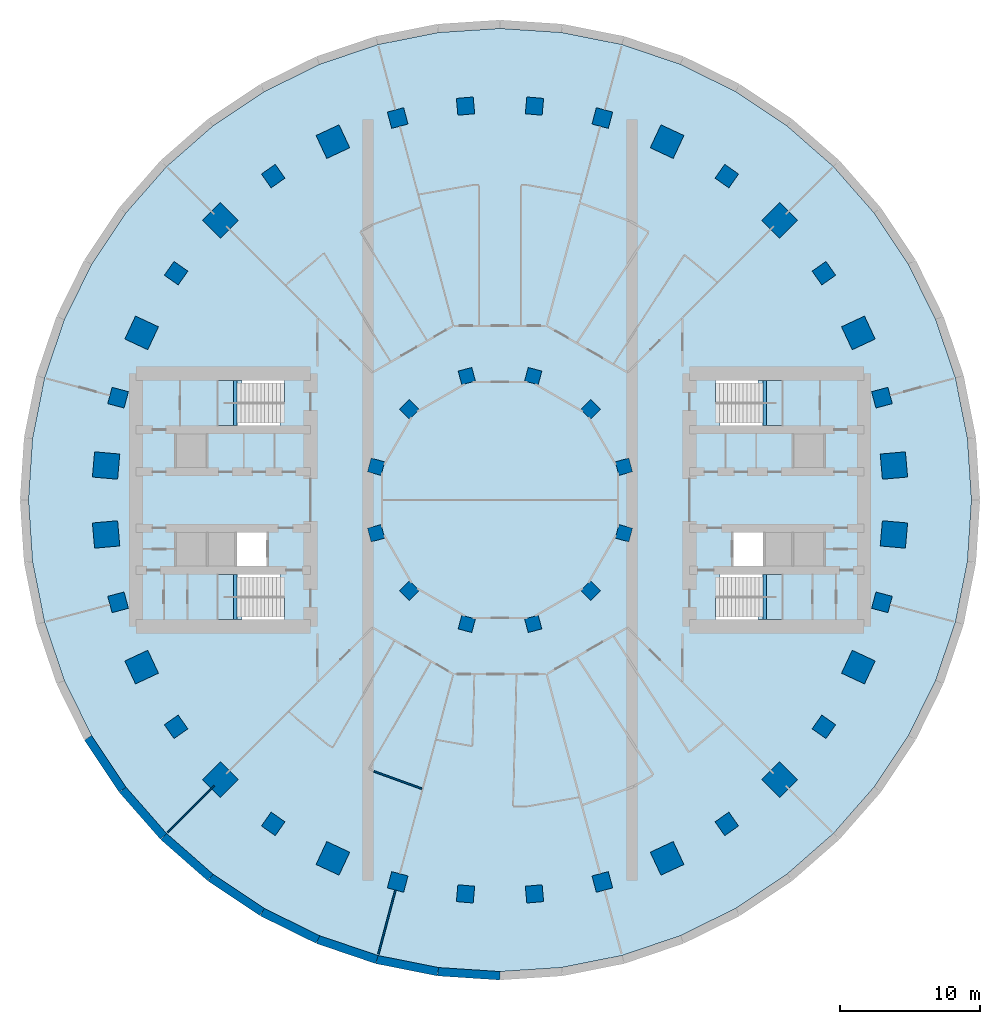
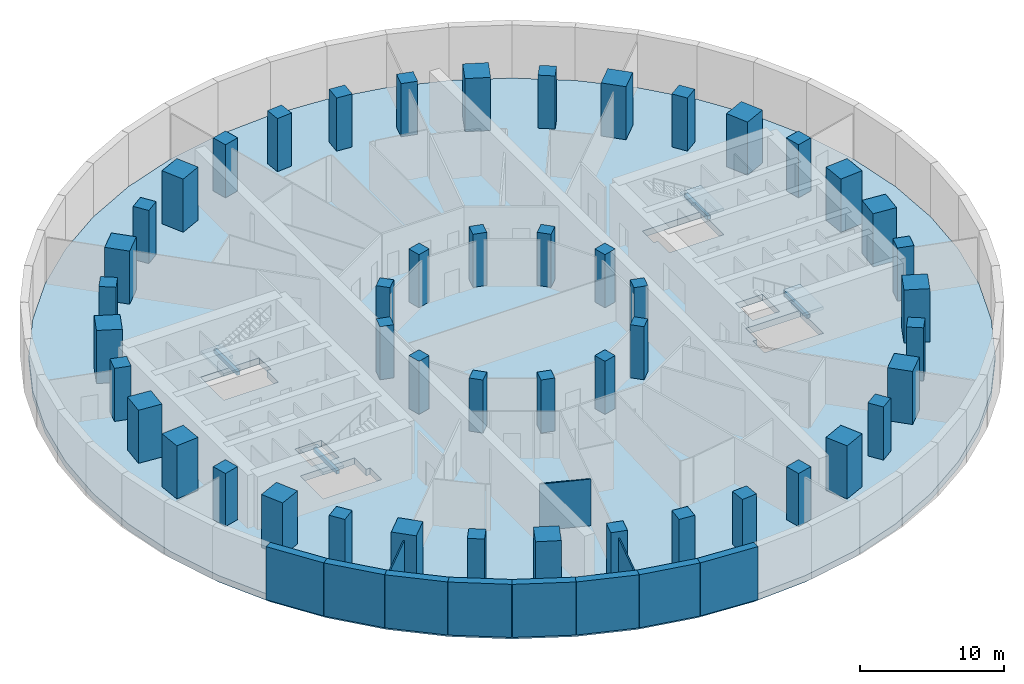
# One storey, part 1 of 8: 48 columns, 11 walls, 5 slabs, 4 beams, 4 elements without a shape of their own.
"""IFC4 building model written with IfcOpenShell, lengths in metres."""

from ifc_helpers import new_model, si_unit, direction, frame, frame_2d, origin, origin_2d, place, context, subcontext, project, spatial, polyline, rectangle, outline, extrude, material, layer, layer_set, material_profile, profile_set, type_object, element, aggregate, save


model = new_model("IFC4")

# Units and contexts
model_context = context("Model", 3, precision=1e-05, world=origin(), true_north=direction((0.0, 1.0)))
body_context = subcontext(model_context, "Body", "Model", "MODEL_VIEW")
ifc_project = project(units=[si_unit("LENGTHUNIT", "METRE"), si_unit("AREAUNIT", "SQUARE_METRE"), si_unit("VOLUMEUNIT", "CUBIC_METRE"), si_unit("PLANEANGLEUNIT", "RADIAN"), si_unit("MASSUNIT", "GRAM", prefix="KILO")], contexts=[model_context])

# Site, building, storey
site_placement = place(None, origin())
site = spatial("IfcSite", under=ifc_project, at=site_placement, CompositionType="ELEMENT")
building_placement = place(site_placement, origin())
building = spatial("IfcBuilding", under=site, at=building_placement, Name="Saqina Gate Tower", CompositionType="ELEMENT")
storey_placement = place(building_placement, frame((0.0, 0.0, -4.5)))
storey = spatial("IfcBuildingStorey", under=building, at=storey_placement, Name="B1", CompositionType="ELEMENT", Elevation=-4.5)

# Columns
ifc_material_1 = material(Name="Concrete C70/85", Category="concrete")
ifc_material_profile_1 = material_profile(ifc_material_1, rectangle(XDim=1.0, YDim=1.0, at=origin_2d()), Name="RC 1000x1000")
ifc_profile_set_1 = profile_set([ifc_material_profile_1], Name="Concrete C70/85")
column_type_1 = type_object("IfcColumnType", Name="STR-COL-IN-P", PredefinedType="COLUMN", material=ifc_profile_set_1)
for number, where, z_axis, x_axis, name in (
    (1, (8.821044921875, 2.363525390625, 0.0), (0.0, 0.0, 1.0), (0.965925826289, 0.258819045103, 0.0), "B1-ICL01"),
    (2, (6.45751953125, 6.45751953125, 0.0), (0.0, 0.0, 1.0), (0.707106781187, 0.707106781187, 0.0), "B1-ICL02"),
    (3, (2.363525390625, 8.821044921875, 0.0), (0.0, 0.0, 1.0), (0.258819045103, 0.965925826289, 0.0), "B1-ICL03"),
    (4, (-2.363525390625, 8.821044921875, 0.0), (0.0, 0.0, 1.0), (-0.258819045103, 0.965925826289, 0.0), "B1-ICL04"),
    (5, (-6.45751953125, 6.45751953125, 0.0), (0.0, 0.0, 1.0), (-0.707106781187, 0.707106781187, 0.0), "B1-ICL05"),
    (6, (-8.821044921875, 2.363525390625, 0.0), (0.0, 0.0, 1.0), (-0.965925826289, 0.258819045103, 0.0), "B1-ICL06"),
    (7, (-8.821044921875, -2.363525390625, 0.0), (0.0, 0.0, 1.0), (-0.965925826289, -0.258819045103, 0.0), "B1-ICL07"),
    (8, (-6.45751953125, -6.45751953125, 0.0), (0.0, 0.0, 1.0), (-0.707106781187, -0.707106781187, 0.0), "B1-ICL08"),
    (9, (-2.363525390625, -8.821044921875, 0.0), (0.0, 0.0, 1.0), (-0.258819045103, -0.965925826289, 0.0), "B1-ICL09"),
    (10, (2.363525390625, -8.821044921875, 0.0), (0.0, 0.0, 1.0), (0.258819045103, -0.965925826289, 0.0), "B1-ICL10"),
    (11, (6.45751953125, -6.45751953125, 0.0), (0.0, 0.0, 1.0), (0.707106781187, -0.707106781187, 0.0), "B1-ICL11"),
    (12, (8.821044921875, -2.363525390625, 0.0), (0.0, 0.0, 1.0), (0.965925826289, -0.258819045103, 0.0), "B1-ICL12"),
):
    element("IfcColumn", number, at=place(storey_placement, frame(where, z_axis=z_axis, x_axis=x_axis)), inside=storey, type_object=column_type_1, Name=name, PredefinedType="COLUMN", context=body_context, shape_type="SweptSolid", body=[
        extrude(rectangle(XDim=1.0, YDim=1.0, at=origin_2d()), origin(), (0.0, 0.0, 1.0), 4.5),
    ])
ifc_material_2 = material(Name="Concrete C70/85", Category="concrete")
ifc_material_profile_2 = material_profile(ifc_material_2, rectangle(XDim=1.800048828125, YDim=1.800048828125, at=origin_2d()), Name="RC 1800x1800")
ifc_profile_set_2 = profile_set([ifc_material_profile_2], Name="Concrete C70/85")
column_type_2 = type_object("IfcColumnType", Name="STR-COL-MEGA-P", PredefinedType="COLUMN", material=ifc_profile_set_2)
for number, where, z_axis, x_axis, name in (
    (13, (28.04296875, 2.453369140625, 0.0), (0.0, 0.0, 1.0), (0.996194698092, 0.087155742748, 0.0), "B1-COL01"),
    (14, (25.512451171875, 11.896728515625, 0.0), (0.0, 0.0, 1.0), (0.906307787037, 0.422618261741, 0.0), "B1-COL03"),
    (15, (19.905029296875, 19.905029296875, 0.0), (0.0, 0.0, 1.0), (0.707106781187, 0.707106781187, 0.0), "B1-COL05"),
    (16, (11.896728515625, 25.512451171875, 0.0), (0.0, 0.0, 1.0), (0.422618261741, 0.906307787037, 0.0), "B1-COL07"),
    (17, (-11.896728515625, 25.512451171875, 0.0), (0.0, 0.0, 1.0), (-0.422618261741, 0.906307787037, 0.0), "B1-COL12"),
    (18, (-19.905029296875, 19.905029296875, 0.0), (0.0, 0.0, 1.0), (-0.707106781187, 0.707106781187, 0.0), "B1-COL14"),
    (19, (-25.512451171875, 11.896728515625, 0.0), (0.0, 0.0, 1.0), (-0.906307787037, 0.422618261741, 0.0), "B1-COL16"),
    (20, (-28.04296875, 2.453369140625, 0.0), (0.0, 0.0, 1.0), (-0.996194698092, 0.087155742748, 0.0), "B1-COL18"),
    (21, (-28.04296875, -2.453369140625, 0.0), (0.0, 0.0, 1.0), (-0.996194698092, -0.087155742748, 0.0), "B1-COL19"),
    (22, (-25.512451171875, -11.896728515625, 0.0), (0.0, 0.0, 1.0), (-0.906307787037, -0.422618261741, 0.0), "B1-COL21"),
    (23, (-19.905029296875, -19.905029296875, 0.0), (0.0, 0.0, 1.0), (-0.707106781187, -0.707106781187, 0.0), "B1-COL23"),
    (24, (-11.896728515625, -25.512451171875, 0.0), (0.0, 0.0, 1.0), (-0.422618261741, -0.906307787037, 0.0), "B1-COL25"),
    (25, (11.896728515625, -25.512451171875, 0.0), (0.0, 0.0, 1.0), (0.422618261741, -0.906307787037, 0.0), "B1-COL30"),
    (26, (19.905029296875, -19.905029296875, 0.0), (0.0, 0.0, 1.0), (0.707106781187, -0.707106781187, 0.0), "B1-COL32"),
    (27, (25.512451171875, -11.896728515625, 0.0), (0.0, 0.0, 1.0), (0.906307787037, -0.422618261741, 0.0), "B1-COL34"),
    (28, (28.04296875, -2.453369140625, 0.0), (0.0, 0.0, 1.0), (0.996194698092, -0.087155742748, 0.0), "B1-COL36"),
):
    element("IfcColumn", number, at=place(storey_placement, frame(where, z_axis=z_axis, x_axis=x_axis)), inside=storey, type_object=column_type_2, Name=name, PredefinedType="COLUMN", context=body_context, shape_type="SweptSolid", body=[
        extrude(rectangle(XDim=1.800048828125, YDim=1.800048828125, at=origin_2d()), origin(), (0.0, 0.0, 1.0), 4.5),
    ])
ifc_material_3 = material(Name="Concrete C70/85", Category="concrete")
ifc_material_profile_3 = material_profile(ifc_material_3, rectangle(XDim=1.199951171875, YDim=1.199951171875, at=origin_2d()), Name="RC 1200x1200")
ifc_profile_set_3 = profile_set([ifc_material_profile_3], Name="Concrete C70/85")
column_type_3 = type_object("IfcColumnType", Name="STR-COL-OUT-P", PredefinedType="COLUMN", material=ifc_profile_set_3)
for number, where, z_axis, x_axis, name in (
    (29, (27.19091796875, 7.28564453125, 0.0), (0.0, 0.0, 1.0), (0.965925826289, 0.258819045103, 0.0), "B1-COL02"),
    (30, (23.05908203125, 16.146240234375, 0.0), (0.0, 0.0, 1.0), (0.819152044289, 0.573576436351, 0.0), "B1-COL04"),
    (31, (16.146240234375, 23.05908203125, 0.0), (0.0, 0.0, 1.0), (0.573576436351, 0.819152044289, 0.0), "B1-COL06"),
    (32, (7.28564453125, 27.19091796875, 0.0), (0.0, 0.0, 1.0), (0.258819045103, 0.965925826289, 0.0), "B1-COL08"),
    (33, (2.453369140625, 28.04296875, 0.0), (0.0, 0.0, 1.0), (0.087155742748, 0.996194698092, 0.0), "B1-COL09"),
    (34, (-2.453369140625, 28.04296875, 0.0), (0.0, 0.0, 1.0), (-0.087155742748, 0.996194698092, 0.0), "B1-COL10"),
    (35, (-7.28564453125, 27.19091796875, 0.0), (0.0, 0.0, 1.0), (-0.258819045103, 0.965925826289, 0.0), "B1-COL11"),
    (36, (-16.146240234375, 23.05908203125, 0.0), (0.0, 0.0, 1.0), (-0.573576436351, 0.819152044289, 0.0), "B1-COL13"),
    (37, (-23.05908203125, 16.146240234375, 0.0), (0.0, 0.0, 1.0), (-0.819152044289, 0.573576436351, 0.0), "B1-COL15"),
    (38, (-27.19091796875, 7.28564453125, 0.0), (0.0, 0.0, 1.0), (-0.965925826289, 0.258819045103, 0.0), "B1-COL17"),
    (39, (-27.19091796875, -7.28564453125, 0.0), (0.0, 0.0, 1.0), (-0.965925826289, -0.258819045103, 0.0), "B1-COL20"),
    (40, (-23.05908203125, -16.146240234375, 0.0), (0.0, 0.0, 1.0), (-0.819152044289, -0.573576436351, 0.0), "B1-COL22"),
    (41, (-16.146240234375, -23.05908203125, 0.0), (0.0, 0.0, 1.0), (-0.573576436351, -0.819152044289, 0.0), "B1-COL24"),
    (42, (-7.28564453125, -27.19091796875, 0.0), (0.0, 0.0, 1.0), (-0.258819045103, -0.965925826289, 0.0), "B1-COL26"),
    (43, (-2.453369140625, -28.04296875, 0.0), (0.0, 0.0, 1.0), (-0.087155742748, -0.996194698092, 0.0), "B1-COL27"),
    (44, (2.453369140625, -28.04296875, 0.0), (0.0, 0.0, 1.0), (0.087155742748, -0.996194698092, 0.0), "B1-COL28"),
    (45, (7.28564453125, -27.19091796875, 0.0), (0.0, 0.0, 1.0), (0.258819045103, -0.965925826289, 0.0), "B1-COL29"),
    (46, (16.146240234375, -23.05908203125, 0.0), (0.0, 0.0, 1.0), (0.573576436351, -0.819152044289, 0.0), "B1-COL31"),
    (47, (23.05908203125, -16.146240234375, 0.0), (0.0, 0.0, 1.0), (0.819152044289, -0.573576436351, 0.0), "B1-COL33"),
    (48, (27.19091796875, -7.28564453125, 0.0), (0.0, 0.0, 1.0), (0.965925826289, -0.258819045103, 0.0), "B1-COL35"),
):
    element("IfcColumn", number, at=place(storey_placement, frame(where, z_axis=z_axis, x_axis=x_axis)), inside=storey, type_object=column_type_3, Name=name, PredefinedType="COLUMN", context=body_context, shape_type="SweptSolid", body=[
        extrude(rectangle(XDim=1.199951171875, YDim=1.199951171875, at=origin_2d()), origin(), (0.0, 0.0, 1.0), 4.5),
    ])

# Beams
ifc_material_4 = material(Name="Concrete C40/50", Category="concrete")
ifc_material_profile_4 = material_profile(ifc_material_4, rectangle(XDim=0.25, YDim=0.300048828125, at=origin_2d()), Name="STAIR LANDING BEAM")
ifc_profile_set_4 = profile_set([ifc_material_profile_4], Name="Concrete C40/50")
beam_type = type_object("IfcBeamType", Name="STAIR LANDING BEAM", PredefinedType="BEAM", material=ifc_profile_set_4)
for number, where, z_axis, x_axis, name in (
    (49, (18.860107421875, 5.300048828125, 1.85009765625), (0.0, 1.0, 0.0), (-1.0, 0.0, 0.0), "EXIT STAIR 1 LANDING BEAM"),
    (50, (18.860107421875, -8.5, 1.85009765625), (0.0, 1.0, 0.0), (-1.0, 0.0, 0.0), "EXIT STAIR 2 LANDING BEAM"),
    (51, (-18.860107421875, 5.300048828125, 1.85009765625), (0.0, 1.0, 0.0), (-1.0, 0.0, 0.0), "EXIT STAIR 3 LANDING BEAM"),
    (52, (-18.860107421875, -8.5, 1.85009765625), (0.0, 1.0, 0.0), (-1.0, 0.0, 0.0), "EXIT STAIR 4 LANDING BEAM"),
):
    element("IfcBeam", number, at=place(storey_placement, frame(where, z_axis=z_axis, x_axis=x_axis)), inside=storey, type_object=beam_type, Name=name, PredefinedType="BEAM", context=body_context, shape_type="SweptSolid", body=[
        extrude(rectangle(XDim=0.25, YDim=0.300048828125, at=origin_2d()), origin(), (0.0, 0.0, 1.0), 3.199951171875),
    ])

# Stair, slab
ifc_material_5 = material(Name="Concrete C40/50", Category="concrete")
stair_type = type_object("IfcStairType", Name="EXIT STAIR", PredefinedType="HALF_TURN_STAIR", material=ifc_material_5)
stair_1_placement = place(storey_placement, origin())
stair_1 = element("IfcStair", 53, at=stair_1_placement, inside=storey, type_object=stair_type, Name="EXIT STAIR 1", PredefinedType="HALF_TURN_STAIR")
ifc_material_6 = material(Name="Concrete C40/50", Category="concrete")
ifc_layer_1 = layer(ifc_material_6, 0.25)
ifc_layer_set_1 = layer_set([ifc_layer_1], Name="Concrete C40/50")
slab_type_1 = type_object("IfcSlabType", Name="EXIT STAIR LANDING", PredefinedType="LANDING", material=ifc_layer_set_1)
slab_1_placement = place(storey_placement, frame((0.0, 0.0, 2.0)))
slab_1 = element("IfcSlab", 54, at=slab_1_placement, type_object=slab_type_1, Name="EXIT STAIR 1 LANDING 1", PredefinedType="LANDING", context=body_context, shape_type="SweptSolid", body=[
    extrude(outline(polyline([(20.06005859375, 8.5), (20.06005859375, 5.300048828125), (18.705078125, 5.300048828125), (18.705078125, 6.89990234375), (18.384765625, 6.89990234375), (18.384765625, 8.5), (18.705078125, 8.5), (18.7099609375, 8.5), (20.06005859375, 8.5)])), origin(), (0.0, 0.0, 1.0), 0.25),
])
aggregate(stair_1, [slab_1])

stair_2_placement = place(storey_placement, origin())
stair_2 = element("IfcStair", 55, at=stair_2_placement, inside=storey, type_object=stair_type, Name="EXIT STAIR 2", PredefinedType="HALF_TURN_STAIR")
slab_2_placement = place(storey_placement, frame((0.0, 0.0, 2.0)))
slab_2 = element("IfcSlab", 56, at=slab_2_placement, type_object=slab_type_1, Name="EXIT STAIR 2 LANDING 1", PredefinedType="LANDING", context=body_context, shape_type="SweptSolid", body=[
    extrude(outline(polyline([(18.384765625, -8.5), (18.384765625, -6.89990234375), (18.705078125, -6.89990234375), (18.705078125, -5.300048828125), (20.06005859375, -5.300048828125), (20.06005859375, -8.5), (18.7099609375, -8.5), (18.705078125, -8.5), (18.384765625, -8.5)])), origin(), (0.0, 0.0, 1.0), 0.25),
])
aggregate(stair_2, [slab_2])

stair_3_placement = place(storey_placement, origin())
stair_3 = element("IfcStair", 57, at=stair_3_placement, inside=storey, type_object=stair_type, Name="EXIT STAIR 3", PredefinedType="HALF_TURN_STAIR")
slab_3_placement = place(storey_placement, frame((0.0, 0.0, 2.0)))
slab_3 = element("IfcSlab", 58, at=slab_3_placement, type_object=slab_type_1, Name="EXIT STAIR 3 LANDING 1", PredefinedType="LANDING", context=body_context, shape_type="SweptSolid", body=[
    extrude(outline(polyline([(-18.705078125, 5.300048828125), (-20.06005859375, 5.300048828125), (-20.06005859375, 8.5), (-18.7099609375, 8.5), (-18.705078125, 8.5), (-18.384765625, 8.5), (-18.384765625, 6.89990234375), (-18.705078125, 6.89990234375), (-18.705078125, 5.300048828125)])), origin(), (0.0, 0.0, 1.0), 0.25),
])
aggregate(stair_3, [slab_3])

stair_4_placement = place(storey_placement, origin())
stair_4 = element("IfcStair", 59, at=stair_4_placement, inside=storey, type_object=stair_type, Name="EXIT STAIR 4", PredefinedType="HALF_TURN_STAIR")
slab_4_placement = place(storey_placement, frame((0.0, 0.0, 2.0)))
slab_4 = element("IfcSlab", 60, at=slab_4_placement, type_object=slab_type_1, Name="EXIT STAIR 4 LANDING 1", PredefinedType="LANDING", context=body_context, shape_type="SweptSolid", body=[
    extrude(outline(polyline([(-18.384765625, -6.89990234375), (-18.384765625, -8.5), (-18.705078125, -8.5), (-18.7099609375, -8.5), (-20.06005859375, -8.5), (-20.06005859375, -5.300048828125), (-18.705078125, -5.300048828125), (-18.705078125, -6.89990234375), (-18.384765625, -6.89990234375)])), origin(), (0.0, 0.0, 1.0), 0.25),
])
aggregate(stair_4, [slab_4])

# Slab
ifc_material_7 = material(Name="Concrete C40/50", Category="concrete")
ifc_layer_2 = layer(ifc_material_7, 0.550048828125)
ifc_layer_set_2 = layer_set([ifc_layer_2], Name="Concrete C40/50")
slab_type_2 = type_object("IfcSlabType", Name="STR-SLAB BASE-550", PredefinedType="BASESLAB", material=ifc_layer_set_2)
slab_5_placement = place(storey_placement, frame((0.0, 0.0, -0.550048828125)))
element("IfcSlab", 61, at=slab_5_placement, inside=storey, type_object=slab_type_2, Name="B1-SLB01", PredefinedType="BASESLAB", context=body_context, shape_type="SweptSolid", body=[
    extrude(outline(polyline([(33.28466796875, -4.382080078125), (33.57177734375, 0.0), (33.28466796875, 4.382080078125), (32.427978515625, 8.68896484375), (31.016357421875, 12.847412109375), (29.07421875, 16.785888671875), (26.63427734375, 20.437255859375), (23.739013671875, 23.739013671875), (20.437255859375, 26.63427734375), (16.785888671875, 29.07421875), (12.847412109375, 31.016357421875), (8.68896484375, 32.427978515625), (4.382080078125, 33.28466796875), (0.0, 33.57177734375), (-4.382080078125, 33.28466796875), (-8.68896484375, 32.427978515625), (-12.847412109375, 31.016357421875), (-16.785888671875, 29.07421875), (-20.437255859375, 26.63427734375), (-23.739013671875, 23.739013671875), (-26.63427734375, 20.437255859375), (-29.07421875, 16.785888671875), (-31.016357421875, 12.847412109375), (-32.427978515625, 8.68896484375), (-33.28466796875, 4.382080078125), (-33.57177734375, 0.0), (-33.28466796875, -4.382080078125), (-32.427978515625, -8.68896484375), (-31.016357421875, -12.847412109375), (-29.07421875, -16.785888671875), (-26.63427734375, -20.437255859375), (-23.739013671875, -23.739013671875), (-20.437255859375, -26.63427734375), (-16.785888671875, -29.07421875), (-12.847412109375, -31.016357421875), (-8.68896484375, -32.427978515625), (-4.382080078125, -33.28466796875), (0.0, -33.57177734375), (4.382080078125, -33.28466796875), (8.68896484375, -32.427978515625), (12.847412109375, -31.016357421875), (16.785888671875, -29.07421875), (20.437255859375, -26.63427734375), (23.739013671875, -23.739013671875), (26.63427734375, -20.437255859375), (29.07421875, -16.785888671875), (31.016357421875, -12.847412109375), (32.427978515625, -8.68896484375), (33.28466796875, -4.382080078125)]), holes=[polyline([(-20.06005859375, -6.89990234375), (-20.06005859375, -5.300048828125), (-15.67529296875, -5.300048828125), (-15.67529296875, -6.89990234375), (-15.35498046875, -6.89990234375), (-15.35498046875, -8.5), (-20.06005859375, -8.5), (-20.06005859375, -6.89990234375)]), polyline([(15.35498046875, -6.89990234375), (15.67529296875, -6.89990234375), (15.67529296875, -5.300048828125), (20.06005859375, -5.300048828125), (20.06005859375, -6.89990234375), (20.06005859375, -8.5), (15.35498046875, -8.5), (15.35498046875, -6.89990234375)]), polyline([(-16.590087890625, -2.300048828125), (-16.590087890625, -4.699951171875), (-18.75, -4.699951171875), (-18.75, -2.300048828125), (-16.590087890625, -2.300048828125)]), polyline([(16.590087890625, -2.300048828125), (18.75, -2.300048828125), (18.75, -4.699951171875), (16.590087890625, -4.699951171875), (16.590087890625, -2.300048828125)]), polyline([(-20.06005859375, 6.89990234375), (-20.06005859375, 8.5), (-15.35498046875, 8.5), (-15.35498046875, 6.89990234375), (-15.67529296875, 6.89990234375), (-15.67529296875, 5.300048828125), (-20.06005859375, 5.300048828125), (-20.06005859375, 6.89990234375)]), polyline([(15.67529296875, 5.300048828125), (15.67529296875, 6.89990234375), (15.35498046875, 6.89990234375), (15.35498046875, 8.5), (20.06005859375, 8.5), (20.06005859375, 6.89990234375), (20.06005859375, 5.300048828125), (15.67529296875, 5.300048828125)])]), origin(), (0.0, 0.0, 1.0), 0.550048828125),
])

# Walls
ifc_material_8 = material(Name="Gypsum board on steel studs, 100 mm", Category="steel")
ifc_layer_3 = layer(ifc_material_8, 0.10009765625)
ifc_layer_set_3 = layer_set([ifc_layer_3], Name="SPECIAL PARTITION 100")
wall_type_1 = type_object("IfcWallType", Name="SPECIAL PARTITION 100", PredefinedType="PARTITIONING", material=ifc_layer_set_3)
wall_1_placement = place(storey_placement, frame((-8.955078125, -19.322021484375, 0.0), z_axis=(0.0, 0.0, 1.0), x_axis=(0.939678939541, -0.342057729898, 0.0)))
element("IfcWall", 62, at=wall_1_placement, inside=storey, type_object=wall_type_1, Name="PARTITION 025", PredefinedType="PARTITIONING", context=body_context, shape_type="SweptSolid", body=[
    extrude(rectangle(XDim=3.613037109375, YDim=0.10009765625, at=frame_2d((1.806640625, 0.0))), origin(), (0.0, 0.0, 1.0), 3.949951171875),
])
wall_2_placement = place(storey_placement, frame((-23.65087890625, -23.65087890625, 0.0), z_axis=(0.0, 0.0, 1.0), x_axis=(0.707106781187, 0.707106781187, 0.0)))
element("IfcWall", 63, at=wall_2_placement, inside=storey, type_object=wall_type_1, Name="PARTITION 053", PredefinedType="PARTITIONING", context=body_context, shape_type="SweptSolid", body=[
    extrude(rectangle(XDim=4.687255859375, YDim=0.10009765625, at=frame_2d((2.34375, 0.0))), origin(), (0.0, 0.0, 1.0), 3.949951171875),
])
wall_3_placement = place(storey_placement, frame((-8.656982421875, -32.30810546875, 0.0), z_axis=(0.0, 0.0, 1.0), x_axis=(0.258835873478, 0.965921316982, 0.0)))
element("IfcWall", 64, at=wall_3_placement, inside=storey, type_object=wall_type_1, Name="PARTITION 065", PredefinedType="PARTITIONING", context=body_context, shape_type="SweptSolid", body=[
    extrude(rectangle(XDim=4.687744140625, YDim=0.10009765625, at=frame_2d((2.34375, 0.0))), origin(), (0.0, 0.0, 1.0), 3.949951171875),
])
ifc_material_9 = material(Name="Concrete C40/50", Category="concrete")
ifc_layer_4 = layer(ifc_material_9, 0.60009765625)
ifc_layer_set_4 = layer_set([ifc_layer_4], Name="Concrete C40/50")
wall_type_2 = type_object("IfcWallType", Name="STR-WALL-RETAINING", PredefinedType="SOLIDWALL", material=ifc_layer_set_4)
wall_4_placement = place(storey_placement, frame((-29.33447265625, -16.936279296875, 0.0), z_axis=(0.0, 0.0, 1.0), x_axis=(0.555577255626, -0.831464919904, 0.0)))
element("IfcWall", 65, at=wall_4_placement, inside=storey, type_object=wall_type_2, Name="BASEMENT RETAINING WALL 29", PredefinedType="SOLIDWALL", context=body_context, shape_type="SweptSolid", body=[
    extrude(rectangle(XDim=4.430908203125, YDim=0.60009765625, at=frame_2d((2.21533203125, 0.0))), origin(), (0.0, 0.0, 1.0), 4.5),
])
for number, where, z_axis, x_axis, name in (
    (66, (-26.872802734375, -20.620361328125, 0.0), (0.0, 0.0, 1.0), (0.659362420985, -0.751825244185, 0.0), "BASEMENT RETAINING WALL 30"),
    (67, (-23.951416015625, -23.951416015625, 0.0), (0.0, 0.0, 1.0), (0.751825244185, -0.659362420985, 0.0), "BASEMENT RETAINING WALL 31"),
):
    element("IfcWall", number, at=place(storey_placement, frame(where, z_axis=z_axis, x_axis=x_axis)), inside=storey, type_object=wall_type_2, Name=name, PredefinedType="SOLIDWALL", context=body_context, shape_type="SweptSolid", body=[
        extrude(rectangle(XDim=4.4306640625, YDim=0.60009765625, at=frame_2d((2.21533203125, 0.0))), origin(), (0.0, 0.0, 1.0), 4.5),
    ])
for number, where, z_axis, x_axis, name in (
    (68, (-20.620361328125, -26.872802734375, 0.0), (0.0, 0.0, 1.0), (0.831464919904, -0.555577255626, 0.0), "BASEMENT RETAINING WALL 32"),
    (69, (-16.936279296875, -29.33447265625, 0.0), (0.0, 0.0, 1.0), (0.896871169992, -0.442291876975, 0.0), "BASEMENT RETAINING WALL 33"),
):
    element("IfcWall", number, at=place(storey_placement, frame(where, z_axis=z_axis, x_axis=x_axis)), inside=storey, type_object=wall_type_2, Name=name, PredefinedType="SOLIDWALL", context=body_context, shape_type="SweptSolid", body=[
        extrude(rectangle(XDim=4.430908203125, YDim=0.60009765625, at=frame_2d((2.21533203125, 0.0))), origin(), (0.0, 0.0, 1.0), 4.5),
    ])
wall_5_placement = place(storey_placement, frame((-12.96240234375, -31.294189453125, 0.0), z_axis=(0.0, 0.0, 1.0), x_axis=(0.946938874807, -0.321413701295, 0.0)))
element("IfcWall", 70, at=wall_5_placement, inside=storey, type_object=wall_type_2, Name="BASEMENT RETAINING WALL 34", PredefinedType="SOLIDWALL", context=body_context, shape_type="SweptSolid", body=[
    extrude(rectangle(XDim=4.4306640625, YDim=0.60009765625, at=frame_2d((2.21533203125, 0.0))), origin(), (0.0, 0.0, 1.0), 4.5),
])
wall_6_placement = place(storey_placement, frame((-8.766845703125, -32.71826171875, 0.0), z_axis=(0.0, 0.0, 1.0), x_axis=(0.980781486227, -0.195109395659, 0.0)))
element("IfcWall", 71, at=wall_6_placement, inside=storey, type_object=wall_type_2, Name="BASEMENT RETAINING WALL 35", PredefinedType="SOLIDWALL", context=body_context, shape_type="SweptSolid", body=[
    extrude(rectangle(XDim=4.430908203125, YDim=0.60009765625, at=frame_2d((2.21533203125, 0.0))), origin(), (0.0, 0.0, 1.0), 4.5),
])
wall_7_placement = place(storey_placement, frame((-4.421142578125, -33.582763671875, 0.0), z_axis=(0.0, 0.0, 1.0), x_axis=(0.997858659156, -0.065407158232, 0.0)))
element("IfcWall", 72, at=wall_7_placement, inside=storey, type_object=wall_type_2, Name="BASEMENT RETAINING WALL 36", PredefinedType="SOLIDWALL", context=body_context, shape_type="SweptSolid", body=[
    extrude(rectangle(XDim=4.4306640625, YDim=0.60009765625, at=frame_2d((2.21533203125, 0.0))), origin(), (0.0, 0.0, 1.0), 4.5),
])

save(model, "model.ifc")
